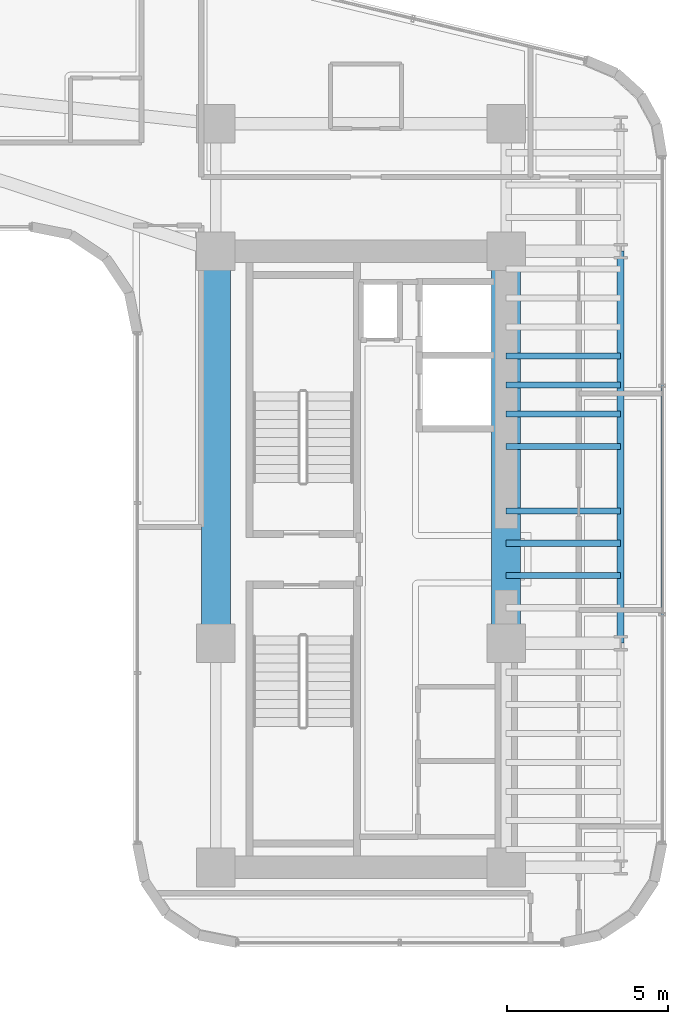
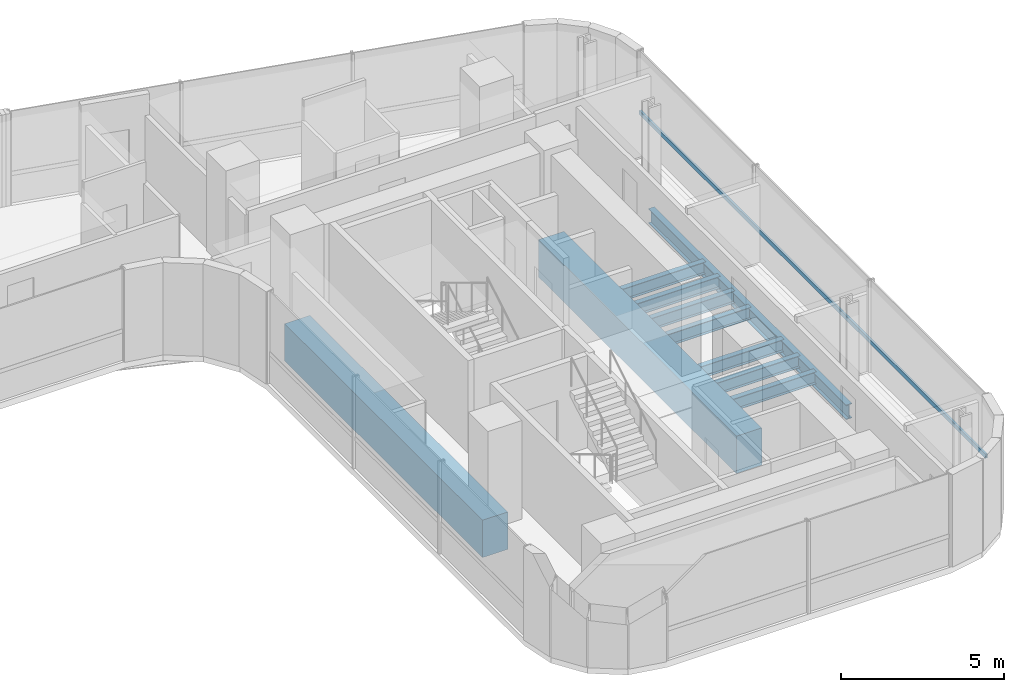
# One storey, part 17 of 35: 10 beams, 1 member, 1 element without a shape of its own.
"""IFC4 building model written with IfcOpenShell, lengths in metres."""

import ifcopenshell
import ifcopenshell.guid

model = None  # the IFC model being written
_history = None  # IfcOwnerHistory: only IFC2X3 demands one
_inside = {}  # id of a spatial element -> (the spatial element, [elements in it])
_under = {}  # id of a project, library or spatial element -> (it, [spatial elements below it])
_declared = {}  # id of a project -> (the project, [libraries it declares])
_typed = {}  # id of a type object -> (the type object, [elements of that type])
_made_of = {}  # id of a material, layer set ... -> (it, [elements and type objects made of it])


def new_model(schema):
    """Start an empty IFC model of exactly this schema.

    Asked for "IFC4X3", IfcOpenShell would pick the latest addendum, in which some entities
    have other attributes; the version numbers below select the first issue.
    IFC2X3 requires an IfcOwnerHistory on every rooted entity: one is made here for all.
    """
    global model, _history
    if schema == "IFC4X3":
        model = ifcopenshell.file(schema_version=(4, 3, 0, 0))
    else:
        model = ifcopenshell.file(schema=schema)
    _inside.clear()
    _under.clear()
    _declared.clear()
    _typed.clear()
    _made_of.clear()
    _history = None
    if model.schema == "IFC2X3":
        org = make("IfcOrganization", Name="unknown")
        user = make(
            "IfcPersonAndOrganization",
            ThePerson=make("IfcPerson", FamilyName="unknown"),
            TheOrganization=org,
        )
        app = make(
            "IfcApplication",
            ApplicationDeveloper=org,
            Version="unknown",
            ApplicationFullName="unknown",
            ApplicationIdentifier="unknown",
        )
        _history = make(
            "IfcOwnerHistory",
            OwningUser=user,
            OwningApplication=app,
            ChangeAction="ADDED",
            CreationDate=0,
        )
    return model


def make(cls, **values):
    """One entity of the class cls with the attributes given. An attribute that is None is left unset."""
    return model.create_entity(
        cls, **{name: value for name, value in values.items() if value is not None}
    )


def rooted(cls, **values):
    """An entity with a GlobalId (a new one), such as an element, a storey or a relation."""
    return make(cls, GlobalId=ifcopenshell.guid.new(), OwnerHistory=_history, **values)


def si_unit(unit_type, name, prefix=None):
    """IfcSIUnit, for example si_unit("LENGTHUNIT", "METRE", prefix="MILLI")."""
    return make("IfcSIUnit", UnitType=unit_type, Prefix=prefix, Name=name)


def assignment(units):
    """IfcUnitAssignment: the units of a project."""
    return None if units is None else make("IfcUnitAssignment", Units=units)


def point(xyz):
    """IfcCartesianPoint."""
    return None if xyz is None else make("IfcCartesianPoint", Coordinates=xyz)


def direction(xyz):
    """IfcDirection."""
    return None if xyz is None else make("IfcDirection", DirectionRatios=xyz)


def frame(location, z_axis=None, x_axis=None):
    """IfcAxis2Placement3D, a coordinate frame: its origin and axes. An axis left out is left unset."""
    return make(
        "IfcAxis2Placement3D",
        Location=point(location),
        Axis=direction(z_axis),
        RefDirection=direction(x_axis),
    )


def frame_2d(location, x_axis=None):
    """IfcAxis2Placement2D, a coordinate frame in the plane: its origin and x axis."""
    return make(
        "IfcAxis2Placement2D", Location=point(location), RefDirection=direction(x_axis)
    )


def origin():
    """The frame at (0, 0, 0) with its axes left unset."""
    return frame((0.0, 0.0, 0.0))


def origin_2d():
    """The frame at (0, 0) in the plane with its x axis left unset."""
    return frame_2d((0.0, 0.0))


def place(relative_to, where):
    """IfcLocalPlacement: puts the frame where relative to a parent placement (None: the world)."""
    return make(
        "IfcLocalPlacement", PlacementRelTo=relative_to, RelativePlacement=where
    )


def context(
    kind, dimensions, precision=None, world=None, true_north=None, identifier=None
):
    """IfcGeometricRepresentationContext, for example the 3D "Model" context."""
    return make(
        "IfcGeometricRepresentationContext",
        ContextIdentifier=identifier,
        ContextType=kind,
        CoordinateSpaceDimension=dimensions,
        Precision=precision,
        WorldCoordinateSystem=world,
        TrueNorth=true_north,
    )


def subcontext(parent, identifier, kind, view, scale=None):
    """IfcGeometricRepresentationSubContext, for example "Body" below "Model"."""
    return make(
        "IfcGeometricRepresentationSubContext",
        ContextIdentifier=identifier,
        ContextType=kind,
        ParentContext=parent,
        TargetScale=scale,
        TargetView=view,
    )


def project(units=None, contexts=None):
    """IfcProject with its units and contexts."""
    return rooted(
        "IfcProject",
        Name="project",
        RepresentationContexts=contexts,
        UnitsInContext=assignment(units),
    )


def spatial(cls, under=None, at=None, **own):
    """A site, building, storey or space (cls), placed at a placement, below another one or the project."""
    s = rooted(cls, ObjectPlacement=at, **own)
    if under is not None:
        _under.setdefault(under.id(), (under, []))[1].append(s)
    return s


def profile(cls, at=None, kind="AREA", **sizes):
    """A parametric profile (cls). Its sizes go by their IFC names, for example OverallWidth=200.0."""
    return make(cls, ProfileType=kind, Position=at, **sizes)


def rectangle(**sizes):
    """IfcRectangleProfileDef."""
    return profile("IfcRectangleProfileDef", **sizes)


def hollow_rectangle(**sizes):
    """IfcRectangleHollowProfileDef."""
    return profile("IfcRectangleHollowProfileDef", **sizes)


def i_section(**sizes):
    """IfcIShapeProfileDef."""
    return profile("IfcIShapeProfileDef", **sizes)


def extrude(swept, where, along, depth):
    """IfcExtrudedAreaSolid: the profile swept, set in the frame where, extruded along a direction by depth."""
    return make(
        "IfcExtrudedAreaSolid",
        SweptArea=swept,
        Position=where,
        ExtrudedDirection=direction(along),
        Depth=depth,
    )


def shape(context_of_items, identifier, shape_type, items):
    """IfcShapeRepresentation: the items that make up one representation, for example the "Body"."""
    return make(
        "IfcShapeRepresentation",
        ContextOfItems=context_of_items,
        RepresentationIdentifier=identifier,
        RepresentationType=shape_type,
        Items=items,
    )


def source(mapping_origin, context_of_items, identifier, shape_type, items):
    """IfcRepresentationMap: a shape defined once, which mapped items show again and again."""
    return make(
        "IfcRepresentationMap",
        MappingOrigin=mapping_origin,
        MappedRepresentation=shape(context_of_items, identifier, shape_type, items),
    )


def transform(
    local_origin,
    x_axis=None,
    y_axis=None,
    z_axis=None,
    scale=None,
    scale2=None,
    scale3=None,
    uniform=True,
):
    """IfcCartesianTransformationOperator3D, or its non-uniform kind. x_axis, y_axis, z_axis: its Axis1, 2, 3."""
    if uniform:
        return make(
            "IfcCartesianTransformationOperator3D",
            Axis1=direction(x_axis),
            Axis2=direction(y_axis),
            LocalOrigin=point(local_origin),
            Scale=scale,
            Axis3=direction(z_axis),
        )
    return make(
        "IfcCartesianTransformationOperator3DnonUniform",
        Axis1=direction(x_axis),
        Axis2=direction(y_axis),
        LocalOrigin=point(local_origin),
        Scale=scale,
        Axis3=direction(z_axis),
        Scale2=scale2,
        Scale3=scale3,
    )


def mapped(mapping_source, mapping_target):
    """IfcMappedItem: shows the shape of a source again, moved by a transform."""
    return make(
        "IfcMappedItem", MappingSource=mapping_source, MappingTarget=mapping_target
    )


def material(Name=None, Category=None):
    """IfcMaterial."""
    return make("IfcMaterial", Name=Name, Category=Category)


def material_profile(
    of_material, cross_section, Name=None, Category=None, Priority=None
):
    """IfcMaterialProfile: a cross section and its material."""
    return make(
        "IfcMaterialProfile",
        Name=Name,
        Material=of_material,
        Profile=cross_section,
        Priority=Priority,
        Category=Category,
    )


def profile_set(profiles, Name=None, composite=None):
    """IfcMaterialProfileSet."""
    return make(
        "IfcMaterialProfileSet",
        Name=Name,
        MaterialProfiles=profiles,
        CompositeProfile=composite,
    )


def made_of(thing, what):
    """Note that an element or type object is made of a material, layer set ...; save() writes the relation."""
    if what is not None:
        _made_of.setdefault(what.id(), (what, []))[1].append(thing)
    return thing


def type_object(cls, material=None, **own):
    """A type object (cls), such as IfcWallType, which elements share."""
    return made_of(rooted(cls, **own), material)


def element(
    cls,
    number,
    at=None,
    inside=None,
    cuts=None,
    type_object=None,
    material=None,
    context=None,
    identifier="Body",
    shape_type=None,
    held_by="IfcProductDefinitionShape",
    body=None,
    shapes=None,
    **own,
):
    """One element of the class cls, such as IfcWall. Its Tag is "e" and its number.

    at: its placement. inside: the storey or other place that contains it. cuts: it is an
    opening in that element (IfcRelVoidsElement). A single representation is given by context,
    identifier, shape_type and body (its items); several are given by shapes. held_by: the class
    of the entity that holds the representations. save() writes the other relations.
    """
    e = rooted(cls, Tag="e%d" % number, ObjectPlacement=at, **own)
    if body is not None:
        shapes = [shape(context, identifier, shape_type, body)]
    if shapes is not None:
        e.Representation = make(held_by, Representations=shapes)
    if inside is not None:
        _inside.setdefault(inside.id(), (inside, []))[1].append(e)
    if cuts is not None:
        rooted(
            "IfcRelVoidsElement", RelatingBuildingElement=cuts, RelatedOpeningElement=e
        )
    if type_object is not None:
        _typed.setdefault(type_object.id(), (type_object, []))[1].append(e)
    return made_of(e, material)


def aggregate(whole, parts):
    """IfcRelAggregates: a whole, such as a stair, and the parts it consists of."""
    return rooted("IfcRelAggregates", RelatingObject=whole, RelatedObjects=parts)


def save(model, path):
    """Write the relations noted so far, then the file.

    IfcRelAggregates (storeys below a building ...), IfcRelContainedInSpatialStructure (elements
    in a storey), IfcRelDefinesByType, IfcRelAssociatesMaterial and IfcRelDeclares: one each for
    every whole, place, type object, material and project.
    """
    for whole, parts in _under.values():
        aggregate(whole, parts)
    for where, things in _inside.values():
        rooted(
            "IfcRelContainedInSpatialStructure",
            RelatedElements=things,
            RelatingStructure=where,
        )
    for kind, things in _typed.values():
        rooted("IfcRelDefinesByType", RelatedObjects=things, RelatingType=kind)
    for what, things in _made_of.values():
        rooted("IfcRelAssociatesMaterial", RelatedObjects=things, RelatingMaterial=what)
    for by, libraries in _declared.values():
        rooted("IfcRelDeclares", RelatingContext=by, RelatedDefinitions=libraries)
    model.write(path)


model = new_model("IFC4")

# Units and contexts
model_context = context("Model", 3, precision=1e-05, world=origin(), true_north=direction((0.0, 1.0)))
body_context = subcontext(model_context, "Body", "Model", "MODEL_VIEW")
ifc_project = project(units=[si_unit("LENGTHUNIT", "METRE"), si_unit("AREAUNIT", "SQUARE_METRE"), si_unit("VOLUMEUNIT", "CUBIC_METRE"), si_unit("PLANEANGLEUNIT", "RADIAN"), si_unit("MASSUNIT", "GRAM", prefix="KILO")], contexts=[model_context])

# Site, building, storey
site_placement = place(None, origin())
site = spatial("IfcSite", under=ifc_project, at=site_placement, CompositionType="ELEMENT")
building_placement = place(site_placement, origin())
building = spatial("IfcBuilding", under=site, at=building_placement, Name="Valdorenza Pilgrim Sanctuary Tower", CompositionType="ELEMENT")
storey_placement = place(building_placement, frame((0.0, 0.0, 116.800048828125)))
storey = spatial("IfcBuildingStorey", under=building, at=storey_placement, Name="L29", CompositionType="ELEMENT", Elevation=116.800048828125)

# Beams
ifc_material_1 = material(Name="Concrete C60/75", Category="concrete")
ifc_material_profile_1 = material_profile(ifc_material_1, rectangle(XDim=0.89990234375, YDim=1.39990234375, at=origin_2d()), Name="RC 1400x900")
ifc_profile_set_1 = profile_set([ifc_material_profile_1], Name="Concrete C60/75")
beam_type_1 = type_object("IfcBeamType", Name="STR-BM-LNT-1400", PredefinedType="LINTEL", material=ifc_profile_set_1)
shared_shape_1 = source(origin(), body_context, "Body", "SweptSolid", [
    extrude(rectangle(XDim=0.89990234375, YDim=1.39990234375, at=origin_2d()), origin(), (0.0, 0.0, 1.0), 12.150146484375),
])
for number, where, z_axis, x_axis, name in (
    (1, (15.85009765625, -2.60009765625, -0.739990234375), (0.0, 1.0, 0.0), (-1.0, 0.0, 0.0), "L29 Core B West Coupling Lintel Girder"),
    (2, (24.85009765625, -2.60009765625, -0.739990234375), (0.0, 1.0, 0.0), (-1.0, 0.0, 0.0), "L29 Core B East Coupling Lintel Girder"),
):
    element("IfcBeam", number, at=place(storey_placement, frame(where, z_axis=z_axis, x_axis=x_axis)), inside=storey, type_object=beam_type_1, Name=name, PredefinedType="LINTEL", context=body_context, shape_type="MappedRepresentation", body=[
        mapped(shared_shape_1, transform((0.0, 0.0, 0.0), x_axis=(1.0, 0.0, 0.0), y_axis=(0.0, 1.0, 0.0), z_axis=(0.0, 0.0, 1.0), scale=1.0)),
    ])
ifc_material_2 = material(Name="Steel ASTM A992 Grade 50", Category="steel")
ifc_material_profile_2 = material_profile(ifc_material_2, i_section(OverallWidth=0.214111328125, OverallDepth=0.549072265625, WebThickness=0.0146484375, FlangeThickness=0.023681640625, at=origin_2d()), Name="W21X93")
ifc_profile_set_2 = profile_set([ifc_material_profile_2], Name="Steel ASTM A992 Grade 50")
beam_type_2 = type_object("IfcBeamType", Name="STR-BM-SPN-W21A", PredefinedType="SPANDREL", material=ifc_profile_set_2)
shared_shape_2 = source(origin(), body_context, "Body", "SweptSolid", [
    extrude(i_section(OverallWidth=0.214111328125, OverallDepth=0.549072265625, WebThickness=0.0146484375, FlangeThickness=0.023681640625, at=origin_2d()), origin(), (0.0, 0.0, 1.0), 12.150146484375),
])
beam_placement = place(storey_placement, frame((28.39990234375, -2.60009765625, -0.5146484375), z_axis=(0.0, 1.0, 0.0), x_axis=(-1.0, 0.0, 0.0)))
element("IfcBeam", 3, at=beam_placement, inside=storey, type_object=beam_type_2, Name="L29 Spandrel Beam WB-E-M0N1", PredefinedType="SPANDREL", context=body_context, shape_type="MappedRepresentation", body=[
    mapped(shared_shape_2, transform((0.0, 0.0, 0.0), x_axis=(1.0, 0.0, 0.0), y_axis=(0.0, 1.0, 0.0), z_axis=(0.0, 0.0, 1.0), scale=1.0)),
])
ifc_material_profile_3 = material_profile(ifc_material_2, i_section(OverallWidth=0.19091796875, OverallDepth=0.45703125, WebThickness=0.009033203125, FlangeThickness=0.014404296875, at=origin_2d()), Name="W18X50")
ifc_profile_set_3 = profile_set([ifc_material_profile_3], Name="Steel ASTM A992 Grade 50")
beam_type_3 = type_object("IfcBeamType", Name="STR-BM-JST-W18B", PredefinedType="JOIST", material=ifc_profile_set_3)
shared_shape_3 = source(origin(), body_context, "Body", "SweptSolid", [
    extrude(i_section(OverallWidth=0.19091796875, OverallDepth=0.45703125, WebThickness=0.009033203125, FlangeThickness=0.014404296875, at=origin_2d()), origin(), (0.0, 0.0, 1.0), 3.5498046875),
])
for number, where, z_axis, x_axis, name in (
    (4, (24.85009765625, -0.5, -0.468505859375), (1.0, 0.0, 0.0), (0.0, 1.0, 0.0), "L29 Composite Floor Joist JST-WB-9"),
    (5, (24.85009765625, 0.5, -0.468505859375), (1.0, 0.0, 0.0), (0.0, 1.0, 0.0), "L29 Composite Floor Joist JST-WB-10"),
    (6, (24.85009765625, 1.5, -0.468505859375), (1.0, 0.0, 0.0), (0.0, 1.0, 0.0), "L29 Composite Floor Joist JST-WB-11"),
    (7, (24.85009765625, 3.5, -0.468505859375), (1.0, 0.0, 0.0), (0.0, 1.0, 0.0), "L29 Composite Floor Joist JST-WB-12"),
    (8, (24.85009765625, 4.5, -0.468505859375), (1.0, 0.0, 0.0), (0.0, 1.0, 0.0), "L29 Composite Floor Joist JST-WB-13"),
    (9, (24.85009765625, 5.39990234375, -0.468505859375), (1.0, 0.0, 0.0), (0.0, 1.0, 0.0), "L29 Composite Floor Joist JST-WB-14"),
    (10, (24.85009765625, 6.300048828125, -0.468505859375), (1.0, 0.0, 0.0), (0.0, 1.0, 0.0), "L29 Composite Floor Joist JST-WB-15"),
):
    element("IfcBeam", number, at=place(storey_placement, frame(where, z_axis=z_axis, x_axis=x_axis)), inside=storey, type_object=beam_type_3, Name=name, PredefinedType="JOIST", context=body_context, shape_type="MappedRepresentation", body=[
        mapped(shared_shape_3, transform((0.0, 0.0, 0.0), x_axis=(1.0, 0.0, 0.0), y_axis=(0.0, 1.0, 0.0), z_axis=(0.0, 0.0, 1.0), scale=1.0)),
    ])

# Curtain wall, member
ifc_material_3 = material(Name="Curtain-wall IGU glazing", Category="glass")
curtain_wall_type = type_object("IfcCurtainWallType", Name="CW-SYS-03", PredefinedType="NOTDEFINED", material=ifc_material_3)
curtain_wall_placement = place(storey_placement, origin())
curtain_wall = element("IfcCurtainWall", 11, at=curtain_wall_placement, inside=storey, type_object=curtain_wall_type, Name="L29 Curtain Wall CW-L29-1-21", PredefinedType="NOTDEFINED")
ifc_material_4 = material(Name="Anodised aluminium AW-6060", Category="aluminium")
ifc_material_profile_4 = material_profile(ifc_material_4, hollow_rectangle(XDim=0.074951171875, YDim=0.159912109375, WallThickness=0.00390625, at=origin_2d()), Name="ALU-T 160x75x4")
ifc_profile_set_4 = profile_set([ifc_material_profile_4], Name="Anodised aluminium AW-6060")
member_type = type_object("IfcMemberType", Name="CW-TRN-03", PredefinedType="USERDEFINED", material=ifc_profile_set_4)
shared_shape_4 = source(origin(), body_context, "Body", "SweptSolid", [
    extrude(hollow_rectangle(XDim=0.074951171875, YDim=0.159912109375, WallThickness=0.00390625, at=origin_2d()), origin(), (0.0, 0.0, 1.0), 21.255615234375),
])
member_placement = place(storey_placement, frame((29.68994140625, 12.46630859375, 1.119873046875), z_axis=(0.0, -1.0, 0.0), x_axis=(1.0, 0.0, 0.0)))
member = element("IfcMember", 12, at=member_placement, type_object=member_type, Name="CW-L29-1-21 Transom 1", ObjectType="TRANSOM", PredefinedType="USERDEFINED", context=body_context, shape_type="MappedRepresentation", body=[
    mapped(shared_shape_4, transform((0.0, 0.0, 0.0), x_axis=(1.0, 0.0, 0.0), y_axis=(0.0, 1.0, 0.0), z_axis=(0.0, 0.0, 1.0), scale=1.0)),
])
aggregate(curtain_wall, [member])

save(model, "model.ifc")
